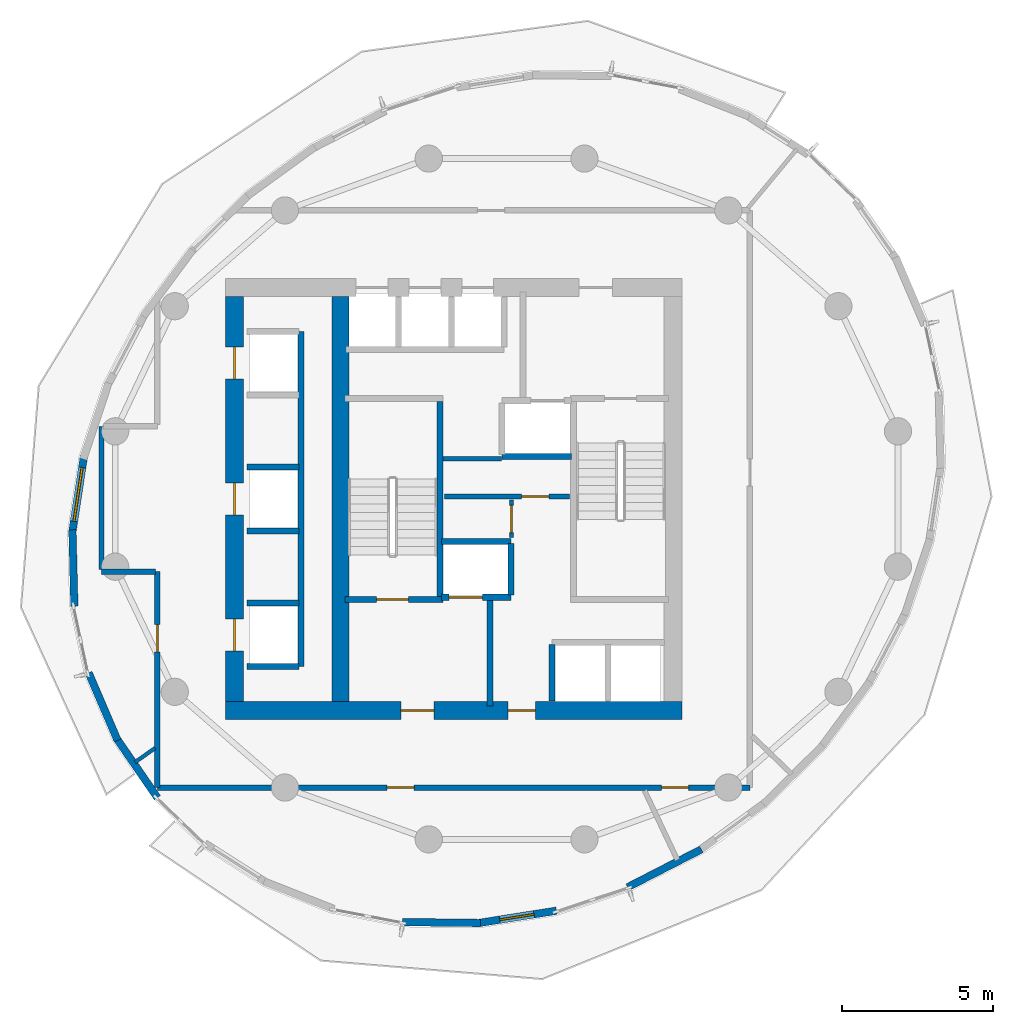
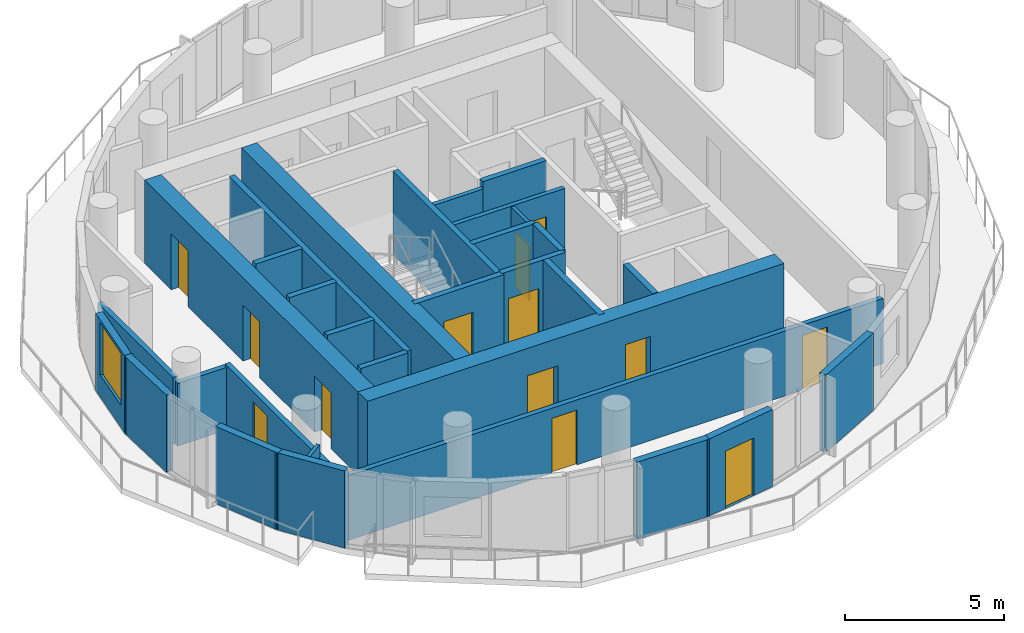
# One storey, part 3 of 9: 31 walls, 13 doors, 1 window, 14 openings.
"""IFC4 building model written with IfcOpenShell, lengths in metres."""

from ifc_helpers import new_model, si_unit, direction, frame, frame_2d, origin, place, context, subcontext, project, spatial, rectangle, extrude, material, layer, layer_set, type_object, element, fill, save


model = new_model("IFC4")

# Units and contexts
model_context = context("Model", 3, precision=1e-05, world=origin(), true_north=direction((0.0, 1.0)))
body_context = subcontext(model_context, "Body", "Model", "MODEL_VIEW")
ifc_project = project(units=[si_unit("LENGTHUNIT", "METRE"), si_unit("AREAUNIT", "SQUARE_METRE"), si_unit("VOLUMEUNIT", "CUBIC_METRE"), si_unit("PLANEANGLEUNIT", "RADIAN"), si_unit("MASSUNIT", "GRAM", prefix="KILO")], contexts=[model_context])

# Site, building, storey
site_placement = place(None, origin())
site = spatial("IfcSite", under=ifc_project, at=site_placement, CompositionType="ELEMENT")
building_placement = place(site_placement, origin())
building = spatial("IfcBuilding", under=site, at=building_placement, Name="Veldorim Arch Residences", CompositionType="ELEMENT")
storey_placement = place(building_placement, frame((0.0, 0.0, 163.0400390625)))
storey = spatial("IfcBuildingStorey", under=building, at=storey_placement, Name="L48", CompositionType="ELEMENT", Elevation=163.0400390625)

# Wall, opening, door
ifc_material_1 = material(Name="Acoustic Gypsum Board", Category="gypsum")
ifc_layer_1 = layer(ifc_material_1, 0.125, Name="Acoustic Stud Room Partition Wall 125")
ifc_layer_set_1 = layer_set([ifc_layer_1], Name="Acoustic Gypsum Board")
wall_type_1 = type_object("IfcWallType", Name="Acoustic Stud Room Partition Wall 125", PredefinedType="PARTITIONING", material=ifc_layer_set_1)
wall_1_placement = place(storey_placement, frame((32.159912109375, 22.719970703125, 0.0), z_axis=(0.0, 0.0, 1.0), x_axis=(0.0, 1.0, 0.0)))
wall_1 = element("IfcWall", 1, at=wall_1_placement, inside=storey, type_object=wall_type_1, Name="L48 interior wall WL-CA-L48-2", PredefinedType="PARTITIONING", context=body_context, shape_type="SweptSolid", body=[
    extrude(rectangle(XDim=1.25, YDim=0.125, at=frame_2d((0.625, 0.0))), origin(), (0.0, 0.0, 1.0), 2.955078125),
])
opening_1_placement = place(wall_1_placement, frame((0.169921875, 0.0, 0.0)))
opening_1 = element("IfcOpeningElement", 2, at=opening_1_placement, cuts=wall_1, Name="Opening DR-SVC", PredefinedType="OPENING", context=body_context, shape_type="SweptSolid", body=[
    extrude(rectangle(XDim=0.89990234375, YDim=2.10009765625, at=frame_2d((0.449951171875, 1.050048828125))), frame((0.0, 0.072509765625, 0.0), z_axis=(0.0, -1.0, 0.0), x_axis=(1.0, 0.0, 0.0)), (0.0, 0.0, 1.0), 0.14501953125),
])
ifc_material_2 = material(Name="Fire-Rated Steel", Category="steel")
door_type_1 = type_object("IfcDoorType", Name="Riser, Shelter & Plant Room Rated Steel Door 900x2100", OperationType="SINGLE_SWING_LEFT", PredefinedType="DOOR", material=ifc_material_2)
door_1_placement = place(opening_1_placement, origin())
door_1 = element("IfcDoor", 3, at=door_1_placement, inside=storey, type_object=door_type_1, Name="L48 interior door DR-L48-CA2", OperationType="SINGLE_SWING_RIGHT", OverallHeight=2.10009765625, OverallWidth=0.89990234375, PredefinedType="DOOR", context=body_context, shape_type="SweptSolid", body=[
    extrude(rectangle(XDim=0.89990234375, YDim=2.10009765625, at=frame_2d((0.449951171875, 1.050048828125))), frame((0.0, 0.02490234375, 0.0), z_axis=(0.0, -1.0, 0.0), x_axis=(1.0, 0.0, 0.0)), (0.0, 0.0, 1.0), 0.050048828125),
])
fill(opening_1, door_1)

# Wall
wall_2_placement = place(storey_placement, frame((20.368408203125, 15.75830078125, 0.0), z_axis=(0.0, 0.0, 1.0), x_axis=(-0.815971082195, -0.57809272009, 0.0)))
element("IfcWall", 4, at=wall_2_placement, inside=storey, type_object=wall_type_1, Name="L48 interior wall WL-SKY-L48-010", PredefinedType="PARTITIONING", context=body_context, shape_type="SweptSolid", body=[
    extrude(rectangle(XDim=0.808837890625, YDim=0.125, at=frame_2d((0.404296875, 0.0))), origin(), (0.0, 0.0, 1.0), 2.955078125),
])

# Wall, opening, door
ifc_material_3 = material(Name="Lightweight Masonry Block & Gypsum", Category="masonry")
ifc_layer_2 = layer(ifc_material_3, 0.179931640625, Name="Compartment & Corridor Fire-Rated Party Wall 180")
ifc_layer_set_2 = layer_set([ifc_layer_2], Name="Lightweight Masonry Block & Gypsum")
wall_type_2 = type_object("IfcWallType", Name="Compartment & Corridor Fire-Rated Party Wall 180", PredefinedType="PARTITIONING", material=ifc_layer_set_2)
wall_3_placement = place(storey_placement, frame((20.449951171875, 14.449951171875, 0.0), z_axis=(0.0, 0.0, 1.0), x_axis=(0.0, 1.0, 0.0)))
wall_3 = element("IfcWall", 5, at=wall_3_placement, inside=storey, type_object=wall_type_2, Name="L48 interior wall WL-SKY-L48-002", PredefinedType="PARTITIONING", context=body_context, shape_type="SweptSolid", body=[
    extrude(rectangle(XDim=7.150146484375, YDim=0.179931640625, at=frame_2d((3.5751953125, 0.0))), origin(), (0.0, 0.0, 1.0), 2.488037109375),
])
opening_2_placement = place(wall_3_placement, frame((4.495849609375, 0.0, 0.0)))
opening_2 = element("IfcOpeningElement", 6, at=opening_2_placement, cuts=wall_3, Name="Opening DR-INT", PredefinedType="OPENING", context=body_context, shape_type="SweptSolid", body=[
    extrude(rectangle(XDim=0.89990234375, YDim=2.10009765625, at=frame_2d((0.449951171875, 1.050048828125))), frame((0.0, 0.099853515625, 0.0), z_axis=(0.0, -1.0, 0.0), x_axis=(1.0, 0.0, 0.0)), (0.0, 0.0, 1.0), 0.199951171875),
])
ifc_material_4 = material(Name="Engineered Timber", Category="wood")
door_type_2 = type_object("IfcDoorType", Name="Apartment Internal Room Timber Door 900x2100", OperationType="SINGLE_SWING_LEFT", PredefinedType="DOOR", material=ifc_material_4)
door_2_placement = place(opening_2_placement, origin())
door_2 = element("IfcDoor", 7, at=door_2_placement, inside=storey, type_object=door_type_2, Name="L48 interior door DR-SKY-L48-002", OperationType="SINGLE_SWING_RIGHT", OverallHeight=2.10009765625, OverallWidth=0.89990234375, PredefinedType="DOOR", context=body_context, shape_type="SweptSolid", body=[
    extrude(rectangle(XDim=0.89990234375, YDim=2.10009765625, at=frame_2d((0.449951171875, 1.050048828125))), frame((0.0, 0.02490234375, 0.0), z_axis=(0.0, -1.0, 0.0), x_axis=(1.0, 0.0, 0.0)), (0.0, 0.0, 1.0), 0.050048828125),
])
fill(opening_2, door_2)

# Walls
wall_4_placement = place(storey_placement, frame((20.389892578125, 21.60009765625, 0.0), z_axis=(0.0, 0.0, 1.0), x_axis=(-1.0, 0.0, 0.0)))
element("IfcWall", 8, at=wall_4_placement, inside=storey, type_object=wall_type_2, Name="L48 interior wall WL-SKY-L48-003", PredefinedType="PARTITIONING", context=body_context, shape_type="SweptSolid", body=[
    extrude(rectangle(XDim=1.789794921875, YDim=0.179931640625, at=frame_2d((0.89501953125, 0.0))), origin(), (0.0, 0.0, 1.0), 2.4033203125),
])
wall_5_placement = place(storey_placement, frame((18.60009765625, 21.659912109375, 0.0), z_axis=(0.0, 0.0, 1.0), x_axis=(0.0, 1.0, 0.0)))
element("IfcWall", 9, at=wall_5_placement, inside=storey, type_object=wall_type_2, Name="L48 interior wall WL-SKY-L48-004", PredefinedType="PARTITIONING", context=body_context, shape_type="SweptSolid", body=[
    extrude(rectangle(XDim=4.739990234375, YDim=0.179931640625, at=frame_2d((2.3701171875, 0.0))), origin(), (0.0, 0.0, 1.0), 2.570068359375),
])

# Wall, openings, doors
wall_6_placement = place(storey_placement, frame((40.050048828125, 14.449951171875, 0.0), z_axis=(0.0, 0.0, 1.0), x_axis=(-1.0, 0.0, 0.0)))
wall_6 = element("IfcWall", 10, at=wall_6_placement, inside=storey, type_object=wall_type_2, Name="L48 interior wall WL-SKY-L48-007", PredefinedType="PARTITIONING", context=body_context, shape_type="SweptSolid", body=[
    extrude(rectangle(XDim=19.60009765625, YDim=0.179931640625, at=frame_2d((9.800048828125, 0.0))), origin(), (0.0, 0.0, 1.0), 2.488037109375),
])
opening_3_placement = place(wall_6_placement, frame((11.104736328125, 0.0, 0.0)))
opening_3 = element("IfcOpeningElement", 11, at=opening_3_placement, cuts=wall_6, Name="Opening DR-INT", PredefinedType="OPENING", context=body_context, shape_type="SweptSolid", body=[
    extrude(rectangle(XDim=0.89990234375, YDim=2.10009765625, at=frame_2d((0.449951171875, 1.050048828125))), frame((0.0, 0.099853515625, 0.0), z_axis=(0.0, -1.0, 0.0), x_axis=(1.0, 0.0, 0.0)), (0.0, 0.0, 1.0), 0.199951171875),
])
opening_4_placement = place(wall_6_placement, frame((2.02587890625, 0.0, 0.0)))
opening_4 = element("IfcOpeningElement", 12, at=opening_4_placement, cuts=wall_6, Name="Opening DR-WC", PredefinedType="OPENING", context=body_context, shape_type="SweptSolid", body=[
    extrude(rectangle(XDim=0.89990234375, YDim=2.10009765625, at=frame_2d((0.449951171875, 1.050048828125))), frame((0.0, 0.099853515625, 0.0), z_axis=(0.0, -1.0, 0.0), x_axis=(1.0, 0.0, 0.0)), (0.0, 0.0, 1.0), 0.199951171875),
])
door_3_placement = place(opening_3_placement, origin())
door_3 = element("IfcDoor", 13, at=door_3_placement, inside=storey, type_object=door_type_2, Name="L48 interior door DR-SKY-L48-003", OperationType="SINGLE_SWING_LEFT", OverallHeight=2.10009765625, OverallWidth=0.89990234375, PredefinedType="DOOR", context=body_context, shape_type="SweptSolid", body=[
    extrude(rectangle(XDim=0.89990234375, YDim=2.10009765625, at=frame_2d((0.449951171875, 1.050048828125))), frame((0.0, 0.02490234375, 0.0), z_axis=(0.0, -1.0, 0.0), x_axis=(1.0, 0.0, 0.0)), (0.0, 0.0, 1.0), 0.050048828125),
])
fill(opening_3, door_3)
ifc_material_5 = material(Name="Laminate Timber", Category="wood")
door_type_3 = type_object("IfcDoorType", Name="Bathroom & Accessible WC Moisture-Sealed Door 900x2100", OperationType="SINGLE_SWING_LEFT", PredefinedType="DOOR", material=ifc_material_5)
door_4_placement = place(opening_4_placement, origin())
door_4 = element("IfcDoor", 14, at=door_4_placement, inside=storey, type_object=door_type_3, Name="L48 interior door DR-SKY-L48-005", OperationType="SINGLE_SWING_LEFT", OverallHeight=2.10009765625, OverallWidth=0.89990234375, PredefinedType="DOOR", context=body_context, shape_type="SweptSolid", body=[
    extrude(rectangle(XDim=0.89990234375, YDim=2.10009765625, at=frame_2d((0.449951171875, 1.050048828125))), frame((0.0, 0.02490234375, 0.0), z_axis=(0.0, -1.0, 0.0), x_axis=(1.0, 0.0, 0.0)), (0.0, 0.0, 1.0), 0.050048828125),
])
fill(opening_4, door_4)

# Wall
ifc_material_6 = material(Name="Concrete C50/60", Category="concrete")
ifc_layer_3 = layer(ifc_material_6, 0.199951171875, Name="Core Stair & Lift Shaft Enclosure Wall 200")
ifc_layer_set_3 = layer_set([ifc_layer_3], Name="Concrete C50/60")
wall_type_3 = type_object("IfcWallType", Name="Core Stair & Lift Shaft Enclosure Wall 200", PredefinedType="SHEAR", material=ifc_layer_set_3)
wall_7_placement = place(storey_placement, frame((29.7900390625, 20.780029296875, 0.0), z_axis=(0.0, 0.0, 1.0), x_axis=(0.0, 1.0, 0.0)))
element("IfcWall", 15, at=wall_7_placement, inside=storey, type_object=wall_type_3, Name="L48 shaft wall WL-SHF-L48-ST1-E", PredefinedType="SHEAR", context=body_context, shape_type="SweptSolid", body=[
    extrude(rectangle(XDim=6.43994140625, YDim=0.199951171875, at=frame_2d((3.219970703125, 0.0))), origin(), (0.0, 0.0, 1.0), 3.199951171875),
])

# Wall, opening, door
wall_8_placement = place(storey_placement, frame((26.64990234375, 20.669921875, 0.0), z_axis=(0.0, 0.0, 1.0), x_axis=(1.0, 0.0, 0.0)))
wall_8 = element("IfcWall", 16, at=wall_8_placement, inside=storey, type_object=wall_type_3, Name="L48 shaft wall WL-SHF-L48-ST1-S", PredefinedType="SHEAR", context=body_context, shape_type="SweptSolid", body=[
    extrude(rectangle(XDim=3.239990234375, YDim=0.199951171875, at=frame_2d((1.6201171875, 0.0))), origin(), (0.0, 0.0, 1.0), 3.199951171875),
])
opening_5_placement = place(wall_8_placement, frame((1.054931640625, 0.0, 0.0)))
opening_5 = element("IfcOpeningElement", 17, at=opening_5_placement, cuts=wall_8, Name="Opening DR-ST", PredefinedType="OPENING", context=body_context, shape_type="SweptSolid", body=[
    extrude(rectangle(XDim=1.050048828125, YDim=2.14990234375, at=frame_2d((0.52490234375, 1.074951171875))), frame((0.0, 0.10986328125, 0.0), z_axis=(0.0, -1.0, 0.0), x_axis=(1.0, 0.0, 0.0)), (0.0, 0.0, 1.0), 0.219970703125),
])
ifc_material_7 = material(Name="Fire-Rated Steel", Category="steel")
door_type_4 = type_object("IfcDoorType", Name="Exit Staircase Self-Closing Fire Door 1050x2150", OperationType="SINGLE_SWING_LEFT", PredefinedType="DOOR", material=ifc_material_7)
door_5_placement = place(opening_5_placement, origin())
door_5 = element("IfcDoor", 18, at=door_5_placement, inside=storey, type_object=door_type_4, Name="L48 interior door DR-L48-ST1", OperationType="SINGLE_SWING_LEFT", OverallHeight=2.14990234375, OverallWidth=1.050048828125, PredefinedType="DOOR", context=body_context, shape_type="SweptSolid", body=[
    extrude(rectangle(XDim=1.050048828125, YDim=2.14990234375, at=frame_2d((0.52490234375, 1.074951171875))), frame((0.0, 0.02490234375, 0.0), z_axis=(0.0, -1.0, 0.0), x_axis=(1.0, 0.0, 0.0)), (0.0, 0.0, 1.0), 0.050048828125),
])
fill(opening_5, door_5)

# Wall
wall_9_placement = place(storey_placement, frame((31.449951171875, 17.14990234375, 0.0), z_axis=(0.0, 0.0, 1.0), x_axis=(0.0, 1.0, 0.0)))
element("IfcWall", 19, at=wall_9_placement, inside=storey, type_object=wall_type_3, Name="L48 shaft wall WL-FFL1-L48-E", PredefinedType="SHEAR", context=body_context, shape_type="SweptSolid", body=[
    extrude(rectangle(XDim=3.5, YDim=0.199951171875, at=frame_2d((1.75, 0.0))), origin(), (0.0, 0.0, 1.0), 3.199951171875),
])

# Wall, opening, door
wall_10_placement = place(storey_placement, frame((29.85009765625, 20.75, 0.0), z_axis=(0.0, 0.0, 1.0), x_axis=(1.0, 0.0, 0.0)))
wall_10 = element("IfcWall", 20, at=wall_10_placement, inside=storey, type_object=wall_type_3, Name="L48 shaft wall WL-FL01-L48-S", PredefinedType="SHEAR", context=body_context, shape_type="SweptSolid", body=[
    extrude(rectangle(XDim=2.2998046875, YDim=0.199951171875, at=frame_2d((1.14990234375, 0.0))), origin(), (0.0, 0.0, 1.0), 3.199951171875),
])
opening_6_placement = place(wall_10_placement, frame((0.25, 0.0, 0.0)))
opening_6 = element("IfcOpeningElement", 21, at=opening_6_placement, cuts=wall_10, Name="Opening LD-FF", PredefinedType="OPENING", context=body_context, shape_type="SweptSolid", body=[
    extrude(rectangle(XDim=1.10009765625, YDim=2.14990234375, at=frame_2d((0.550048828125, 1.074951171875))), frame((0.0, 0.10986328125, 0.0), z_axis=(0.0, -1.0, 0.0), x_axis=(1.0, 0.0, 0.0)), (0.0, 0.0, 1.0), 0.219970703125),
])
ifc_material_8 = material(Name="Stainless Steel", Category="steel")
door_type_5 = type_object("IfcDoorType", Name="Firefighting Lift Bi-Parting Sliding Landing Door 1100x2150", OperationType="DOUBLE_DOOR_SLIDING", PredefinedType="DOOR", material=ifc_material_8)
door_6_placement = place(opening_6_placement, origin())
door_6 = element("IfcDoor", 22, at=door_6_placement, inside=storey, type_object=door_type_5, Name="L48 lift landing door LD-L48-FL01", OperationType="DOUBLE_DOOR_SLIDING", OverallHeight=2.14990234375, OverallWidth=1.10009765625, PredefinedType="DOOR", context=body_context, shape_type="SweptSolid", body=[
    extrude(rectangle(XDim=1.10009765625, YDim=2.14990234375, at=frame_2d((0.550048828125, 1.074951171875))), frame((0.0, 0.02490234375, 0.0), z_axis=(0.0, -1.0, 0.0), x_axis=(1.0, 0.0, 0.0)), (0.0, 0.0, 1.0), 0.050048828125),
])
fill(opening_6, door_6)

# Walls
wall_11_placement = place(storey_placement, frame((29.85009765625, 22.60009765625, 0.0), z_axis=(0.0, 0.0, 1.0), x_axis=(1.0, 0.0, 0.0)))
element("IfcWall", 23, at=wall_11_placement, inside=storey, type_object=wall_type_3, Name="L48 shaft wall WL-FL01-L48-N", PredefinedType="SHEAR", context=body_context, shape_type="SweptSolid", body=[
    extrude(rectangle(XDim=2.2998046875, YDim=0.199951171875, at=frame_2d((1.14990234375, 0.0))), origin(), (0.0, 0.0, 1.0), 3.199951171875),
])
wall_12_placement = place(storey_placement, frame((32.14990234375, 20.820068359375, 0.0), z_axis=(0.0, 0.0, 1.0), x_axis=(0.0, 1.0, 0.0)))
element("IfcWall", 24, at=wall_12_placement, inside=storey, type_object=wall_type_3, Name="L48 shaft wall WL-FL01-L48-E", PredefinedType="SHEAR", context=body_context, shape_type="SweptSolid", body=[
    extrude(rectangle(XDim=1.7099609375, YDim=0.199951171875, at=frame_2d((0.85498046875, 0.0))), origin(), (0.0, 0.0, 1.0), 3.199951171875),
])
wall_13_placement = place(storey_placement, frame((31.85009765625, 25.39990234375, 0.0), z_axis=(0.0, 0.0, 1.0), x_axis=(1.0, 0.0, 0.0)))
element("IfcWall", 25, at=wall_13_placement, inside=storey, type_object=wall_type_3, Name="L48 shaft wall WL-FL02-L48-S", PredefinedType="SHEAR", context=body_context, shape_type="SweptSolid", body=[
    extrude(rectangle(XDim=2.2998046875, YDim=0.199951171875, at=frame_2d((1.14990234375, 0.0))), origin(), (0.0, 0.0, 1.0), 3.199951171875),
])
wall_14_placement = place(storey_placement, frame((25.199951171875, 18.4599609375, 0.0), z_axis=(0.0, 0.0, 1.0), x_axis=(0.0, 1.0, 0.0)))
element("IfcWall", 26, at=wall_14_placement, inside=storey, type_object=wall_type_3, Name="L48 shaft wall WL-B2-L48-E", PredefinedType="SHEAR", context=body_context, shape_type="SweptSolid", body=[
    extrude(rectangle(XDim=11.080078125, YDim=0.199951171875, at=frame_2d((5.5400390625, 0.0))), origin(), (0.0, 0.0, 1.0), 3.199951171875),
])
for number, where, z_axis, x_axis, name in (
    (27, (23.419921875, 18.4599609375, 0.0), (0.0, 0.0, 1.0), (1.0, 0.0, 0.0), "L48 shaft wall WL-B2-L48-S"),
    (28, (23.419921875, 20.56005859375, 0.0), (0.0, 0.0, 1.0), (1.0, 0.0, 0.0), "L48 shaft wall WL-B2-L48-D1A"),
    (29, (23.419921875, 22.93994140625, 0.0), (0.0, 0.0, 1.0), (1.0, 0.0, 0.0), "L48 shaft wall WL-B2-L48-D1B"),
    (30, (23.419921875, 25.06005859375, 0.0), (0.0, 0.0, 1.0), (1.0, 0.0, 0.0), "L48 shaft wall WL-B2-L48-D2A"),
):
    element("IfcWall", number, at=place(storey_placement, frame(where, z_axis=z_axis, x_axis=x_axis)), inside=storey, type_object=wall_type_3, Name=name, PredefinedType="SHEAR", context=body_context, shape_type="SweptSolid", body=[
        extrude(rectangle(XDim=1.7099609375, YDim=0.199951171875, at=frame_2d((0.85498046875, 0.0))), origin(), (0.0, 0.0, 1.0), 3.199951171875),
    ])
wall_15_placement = place(storey_placement, frame((33.5, 17.320068359375, 0.0), z_axis=(0.0, 0.0, 1.0), x_axis=(0.0, 1.0, 0.0)))
element("IfcWall", 31, at=wall_15_placement, inside=storey, type_object=wall_type_3, Name="L48 shaft wall WL-OL-L48-W", PredefinedType="SHEAR", context=body_context, shape_type="SweptSolid", body=[
    extrude(rectangle(XDim=1.85986328125, YDim=0.199951171875, at=frame_2d((0.929931640625, 0.0))), origin(), (0.0, 0.0, 1.0), 3.199951171875),
])

# Wall, openings, doors
ifc_material_9 = material(Name="Concrete C50/60", Category="concrete")
ifc_layer_4 = layer(ifc_material_9, 0.60009765625, Name="Mid-Upper Central Core Shear Wall 600")
ifc_layer_set_4 = layer_set([ifc_layer_4], Name="Concrete C50/60")
wall_type_4 = type_object("IfcWallType", Name="Mid-Upper Central Core Shear Wall 600", PredefinedType="SHEAR", material=ifc_layer_set_4)
wall_16_placement = place(storey_placement, frame((22.699951171875, 17.0, 0.0), z_axis=(0.0, 0.0, 1.0), x_axis=(1.0, 0.0, 0.0)))
wall_16 = element("IfcWall", 32, at=wall_16_placement, inside=storey, type_object=wall_type_4, Name="L48 central core south shear wall", PredefinedType="SHEAR", context=body_context, shape_type="SweptSolid", body=[
    extrude(rectangle(XDim=15.10009765625, YDim=0.60009765625, at=frame_2d((7.550048828125, 0.0))), origin(), (0.0, 0.0, 1.0), 3.199951171875),
])
opening_7_placement = place(wall_16_placement, frame((5.800048828125, 0.0, 0.0)))
opening_7 = element("IfcOpeningElement", 33, at=opening_7_placement, cuts=wall_16, Name="Opening DR-FFL", PredefinedType="OPENING", context=body_context, shape_type="SweptSolid", body=[
    extrude(rectangle(XDim=1.10009765625, YDim=2.14990234375, at=frame_2d((0.550048828125, 1.074951171875))), frame((0.0, 0.31005859375, 0.0), z_axis=(0.0, -1.0, 0.0), x_axis=(1.0, 0.0, 0.0)), (0.0, 0.0, 1.0), 0.6201171875),
])
opening_8_placement = place(wall_16_placement, frame((9.35009765625, 0.0, 0.0)))
opening_8 = element("IfcOpeningElement", 34, at=opening_8_placement, cuts=wall_16, Name="Opening DR-SVC", PredefinedType="OPENING", context=body_context, shape_type="SweptSolid", body=[
    extrude(rectangle(XDim=0.89990234375, YDim=2.10009765625, at=frame_2d((0.449951171875, 1.050048828125))), frame((0.0, 0.31005859375, 0.0), z_axis=(0.0, -1.0, 0.0), x_axis=(1.0, 0.0, 0.0)), (0.0, 0.0, 1.0), 0.6201171875),
])
ifc_material_10 = material(Name="Fire-Rated Steel & Vision Glass", Category="steel")
door_type_6 = type_object("IfcDoorType", Name="Firefighting Lobby Smoke-Stop Fire Door 1100x2150", OperationType="SINGLE_SWING_LEFT", PredefinedType="DOOR", material=ifc_material_10)
door_7_placement = place(opening_7_placement, origin())
door_7 = element("IfcDoor", 35, at=door_7_placement, inside=storey, type_object=door_type_6, Name="L48 interior door DR-L48-FFL1", OperationType="SINGLE_SWING_RIGHT", OverallHeight=2.14990234375, OverallWidth=1.10009765625, PredefinedType="DOOR", context=body_context, shape_type="SweptSolid", body=[
    extrude(rectangle(XDim=1.10009765625, YDim=2.14990234375, at=frame_2d((0.550048828125, 1.074951171875))), frame((0.0, 0.02490234375, 0.0), z_axis=(0.0, -1.0, 0.0), x_axis=(1.0, 0.0, 0.0)), (0.0, 0.0, 1.0), 0.050048828125),
])
fill(opening_7, door_7)
door_8_placement = place(opening_8_placement, origin())
door_8 = element("IfcDoor", 36, at=door_8_placement, inside=storey, type_object=door_type_1, Name="L48 interior door DR-L48-COR-ANC", OperationType="SINGLE_SWING_LEFT", OverallHeight=2.10009765625, OverallWidth=0.89990234375, PredefinedType="DOOR", context=body_context, shape_type="SweptSolid", body=[
    extrude(rectangle(XDim=0.89990234375, YDim=2.10009765625, at=frame_2d((0.449951171875, 1.050048828125))), frame((0.0, 0.02490234375, 0.0), z_axis=(0.0, -1.0, 0.0), x_axis=(1.0, 0.0, 0.0)), (0.0, 0.0, 1.0), 0.050048828125),
])
fill(opening_8, door_8)

wall_17_placement = place(storey_placement, frame((23.0, 17.300048828125, 0.0), z_axis=(0.0, 0.0, 1.0), x_axis=(0.0, 1.0, 0.0)))
wall_17 = element("IfcWall", 37, at=wall_17_placement, inside=storey, type_object=wall_type_4, Name="L48 central core west shear wall", PredefinedType="SHEAR", context=body_context, shape_type="SweptSolid", body=[
    extrude(rectangle(XDim=13.39990234375, YDim=0.60009765625, at=frame_2d((6.699951171875, 0.0))), origin(), (0.0, 0.0, 1.0), 3.199951171875),
])
opening_9_placement = place(wall_17_placement, frame((1.675048828125, 0.0, 0.0)))
opening_9 = element("IfcOpeningElement", 38, at=opening_9_placement, cuts=wall_17, Name="Opening LD-PS", PredefinedType="OPENING", context=body_context, shape_type="SweptSolid", body=[
    extrude(rectangle(XDim=1.050048828125, YDim=2.14990234375, at=frame_2d((0.52490234375, 1.074951171875))), frame((0.0, 0.31005859375, 0.0), z_axis=(0.0, -1.0, 0.0), x_axis=(1.0, 0.0, 0.0)), (0.0, 0.0, 1.0), 0.6201171875),
])
opening_10_placement = place(wall_17_placement, frame((6.175048828125, 0.0, 0.0)))
opening_10 = element("IfcOpeningElement", 39, at=opening_10_placement, cuts=wall_17, Name="Opening LD-PS", PredefinedType="OPENING", context=body_context, shape_type="SweptSolid", body=[
    extrude(rectangle(XDim=1.050048828125, YDim=2.14990234375, at=frame_2d((0.52490234375, 1.074951171875))), frame((0.0, 0.31005859375, 0.0), z_axis=(0.0, -1.0, 0.0), x_axis=(1.0, 0.0, 0.0)), (0.0, 0.0, 1.0), 0.6201171875),
])
opening_11_placement = place(wall_17_placement, frame((10.675048828125, 0.0, 0.0)))
opening_11 = element("IfcOpeningElement", 40, at=opening_11_placement, cuts=wall_17, Name="Opening LD-PS", PredefinedType="OPENING", context=body_context, shape_type="SweptSolid", body=[
    extrude(rectangle(XDim=1.050048828125, YDim=2.14990234375, at=frame_2d((0.52490234375, 1.074951171875))), frame((0.0, 0.31005859375, 0.0), z_axis=(0.0, -1.0, 0.0), x_axis=(1.0, 0.0, 0.0)), (0.0, 0.0, 1.0), 0.6201171875),
])
ifc_material_11 = material(Name="Stainless Steel", Category="steel")
door_type_7 = type_object("IfcDoorType", Name="Passenger Lift Bi-Parting Sliding Landing Door 1050x2150", OperationType="DOUBLE_DOOR_SLIDING", PredefinedType="DOOR", material=ifc_material_11)
door_9_placement = place(opening_9_placement, origin())
door_9 = element("IfcDoor", 41, at=door_9_placement, inside=storey, type_object=door_type_7, Name="L48 lift landing door LD-L48-PL-05", OperationType="DOUBLE_DOOR_SLIDING", OverallHeight=2.14990234375, OverallWidth=1.050048828125, PredefinedType="DOOR", context=body_context, shape_type="SweptSolid", body=[
    extrude(rectangle(XDim=1.050048828125, YDim=2.14990234375, at=frame_2d((0.52490234375, 1.074951171875))), frame((0.0, 0.02490234375, 0.0), z_axis=(0.0, -1.0, 0.0), x_axis=(1.0, 0.0, 0.0)), (0.0, 0.0, 1.0), 0.050048828125),
])
fill(opening_9, door_9)
door_10_placement = place(opening_10_placement, origin())
door_10 = element("IfcDoor", 42, at=door_10_placement, inside=storey, type_object=door_type_7, Name="L48 lift landing door LD-L48-PL-06", OperationType="DOUBLE_DOOR_SLIDING", OverallHeight=2.14990234375, OverallWidth=1.050048828125, PredefinedType="DOOR", context=body_context, shape_type="SweptSolid", body=[
    extrude(rectangle(XDim=1.050048828125, YDim=2.14990234375, at=frame_2d((0.52490234375, 1.074951171875))), frame((0.0, 0.02490234375, 0.0), z_axis=(0.0, -1.0, 0.0), x_axis=(1.0, 0.0, 0.0)), (0.0, 0.0, 1.0), 0.050048828125),
])
fill(opening_10, door_10)
door_11_placement = place(opening_11_placement, origin())
door_11 = element("IfcDoor", 43, at=door_11_placement, inside=storey, type_object=door_type_7, Name="L48 lift landing door LD-L48-PL-07", OperationType="DOUBLE_DOOR_SLIDING", OverallHeight=2.14990234375, OverallWidth=1.050048828125, PredefinedType="DOOR", context=body_context, shape_type="SweptSolid", body=[
    extrude(rectangle(XDim=1.050048828125, YDim=2.14990234375, at=frame_2d((0.52490234375, 1.074951171875))), frame((0.0, 0.02490234375, 0.0), z_axis=(0.0, -1.0, 0.0), x_axis=(1.0, 0.0, 0.0)), (0.0, 0.0, 1.0), 0.050048828125),
])
fill(opening_11, door_11)

# Wall, opening, window
ifc_material_12 = material(Name="Precast concrete C40/50", Category="concrete")
ifc_layer_5 = layer(ifc_material_12, 0.25, Name="Tower Terracotta Spandrel & Pier Wall 250")
ifc_layer_set_5 = layer_set([ifc_layer_5], Name="Precast concrete C40/50")
wall_type_5 = type_object("IfcWallType", Name="Tower Terracotta Spandrel & Pier Wall 250", PredefinedType="SOLIDWALL", material=ifc_layer_set_5)
wall_18_placement = place(storey_placement, frame((17.62890625, 22.87109375, 0.0), z_axis=(0.0, 0.0, 1.0), x_axis=(0.150882230886, 0.988551744929, 0.0)))
wall_18 = element("IfcWall", 44, at=wall_18_placement, inside=storey, type_object=wall_type_5, Name="L48 terracotta facade wall 14", PredefinedType="SOLIDWALL", context=body_context, shape_type="SweptSolid", body=[
    extrude(rectangle(XDim=2.59228515625, YDim=0.25, at=frame_2d((1.296142578125, 0.0))), origin(), (0.0, 0.0, 1.0), 2.9599609375),
])
opening_12_placement = place(wall_18_placement, frame((0.39599609375, 0.0, 0.85009765625)))
opening_12 = element("IfcOpeningElement", 45, at=opening_12_placement, cuts=wall_18, Name="Opening WN-04", PredefinedType="OPENING", context=body_context, shape_type="SweptSolid", body=[
    extrude(rectangle(XDim=1.800048828125, YDim=2.0, at=frame_2d((0.89990234375, 1.0))), frame((0.0, 0.135009765625, 0.0), z_axis=(0.0, -1.0, 0.0), x_axis=(1.0, 0.0, 0.0)), (0.0, 0.0, 1.0), 0.27001953125),
])
ifc_material_13 = material(Name="Laminated Low-E Glass", Category="glass")
window_type = type_object("IfcWindowType", Name="Sky Lounge Tall Picture Window 1800x1370", PartitioningType="SINGLE_PANEL", PredefinedType="WINDOW", material=ifc_material_13)
window_placement = place(opening_12_placement, origin())
window = element("IfcWindow", 46, at=window_placement, inside=storey, type_object=window_type, Name="L48 solar-control facade window 14", OverallHeight=2.0, OverallWidth=1.800048828125, PartitioningType="SINGLE_PANEL", PredefinedType="WINDOW", context=body_context, shape_type="SweptSolid", body=[
    extrude(rectangle(XDim=1.800048828125, YDim=2.0, at=frame_2d((0.89990234375, 1.0))), frame((0.0, 0.030029296875, 0.0), z_axis=(0.0, -1.0, 0.0), x_axis=(1.0, 0.0, 0.0)), (0.0, 0.0, 1.0), 0.06005859375),
])
fill(opening_12, window)

# Walls
wall_19_placement = place(storey_placement, frame((17.700927734375, 20.451171875, 0.0), z_axis=(0.0, 0.0, 1.0), x_axis=(-0.025647424719, 0.999671050699, 0.0)))
element("IfcWall", 47, at=wall_19_placement, inside=storey, type_object=wall_type_5, Name="L48 terracotta facade wall 15", PredefinedType="SOLIDWALL", context=body_context, shape_type="SweptSolid", body=[
    extrude(rectangle(XDim=2.531982421875, YDim=0.25, at=frame_2d((1.26611328125, 0.0))), origin(), (0.0, 0.0, 1.0), 2.9599609375),
])
wall_20_placement = place(storey_placement, frame((19.1328125, 16.009033203125, 0.0), z_axis=(0.0, 0.0, 1.0), x_axis=(-0.393822567199, 0.919186480299, 0.0)))
element("IfcWall", 48, at=wall_20_placement, inside=storey, type_object=wall_type_5, Name="L48 terracotta facade wall 17", PredefinedType="SOLIDWALL", context=body_context, shape_type="SweptSolid", body=[
    extrude(rectangle(XDim=2.43701171875, YDim=0.25, at=frame_2d((1.218505859375, 0.0))), origin(), (0.0, 0.0, 1.0), 2.9599609375),
])
wall_21_placement = place(storey_placement, frame((20.447998046875, 14.12109375, 0.0), z_axis=(0.0, 0.0, 1.0), x_axis=(-0.567536828079, 0.823348011945, 0.0)))
element("IfcWall", 49, at=wall_21_placement, inside=storey, type_object=wall_type_5, Name="L48 terracotta facade wall 18", PredefinedType="SOLIDWALL", context=body_context, shape_type="SweptSolid", body=[
    extrude(rectangle(XDim=2.41455078125, YDim=0.25, at=frame_2d((1.207275390625, 0.0))), origin(), (0.0, 0.0, 1.0), 2.9599609375),
])
wall_22_placement = place(storey_placement, frame((31.140625, 9.972900390625, 0.0), z_axis=(0.0, 0.0, 1.0), x_axis=(-0.999928463579, 0.011961092105, 0.0)))
element("IfcWall", 50, at=wall_22_placement, inside=storey, type_object=wall_type_5, Name="L48 terracotta facade wall 23", PredefinedType="SOLIDWALL", context=body_context, shape_type="SweptSolid", body=[
    extrude(rectangle(XDim=2.59228515625, YDim=0.25, at=frame_2d((1.296142578125, 0.0))), origin(), (0.0, 0.0, 1.0), 2.9599609375),
])

# Wall, opening, door
wall_23_placement = place(storey_placement, frame((33.648681640625, 10.37890625, 0.0), z_axis=(0.0, 0.0, 1.0), x_axis=(-0.987726348775, -0.156194301867, 0.0)))
wall_23 = element("IfcWall", 51, at=wall_23_placement, inside=storey, type_object=wall_type_5, Name="L48 terracotta facade wall 24", PredefinedType="SOLIDWALL", context=body_context, shape_type="SweptSolid", body=[
    extrude(rectangle(XDim=2.65087890625, YDim=0.25, at=frame_2d((1.325439453125, 0.0))), origin(), (0.0, 0.0, 1.0), 2.9599609375),
])
opening_13_placement = place(wall_23_placement, frame((0.7509765625, 0.0, 0.0)))
opening_13 = element("IfcOpeningElement", 52, at=opening_13_placement, cuts=wall_23, Name="Opening BL-DR", PredefinedType="OPENING", context=body_context, shape_type="SweptSolid", body=[
    extrude(rectangle(XDim=1.14990234375, YDim=2.199951171875, at=frame_2d((0.574951171875, 1.10009765625))), frame((0.0, 0.135009765625, 0.0), z_axis=(0.0, -1.0, 0.0), x_axis=(1.0, 0.0, 0.0)), (0.0, 0.0, 1.0), 0.27001953125),
])
ifc_material_14 = material(Name="Aluminium & Low-E Glass", Category="aluminium")
door_type_8 = type_object("IfcDoorType", Name="Glazed Planted Balcony Door 1150x2200", OperationType="SINGLE_SWING_LEFT", PredefinedType="DOOR", material=ifc_material_14)
door_12_placement = place(opening_13_placement, origin())
door_12 = element("IfcDoor", 53, at=door_12_placement, inside=storey, type_object=door_type_8, Name="L48 glazed outdoor terrace door BALC-2", OperationType="SINGLE_SWING_RIGHT", OverallHeight=2.199951171875, OverallWidth=1.14990234375, PredefinedType="DOOR", context=body_context, shape_type="SweptSolid", body=[
    extrude(rectangle(XDim=1.14990234375, YDim=2.199951171875, at=frame_2d((0.574951171875, 1.10009765625))), frame((0.0, 0.02490234375, 0.0), z_axis=(0.0, -1.0, 0.0), x_axis=(1.0, 0.0, 0.0)), (0.0, 0.0, 1.0), 0.050048828125),
])
fill(opening_13, door_12)

# Walls
wall_24_placement = place(storey_placement, frame((38.4423828125, 12.408935546875, 0.0), z_axis=(0.0, 0.0, 1.0), x_axis=(-0.889378950916, -0.457170735796, 0.0)))
element("IfcWall", 54, at=wall_24_placement, inside=storey, type_object=wall_type_5, Name="L48 terracotta facade wall 26", PredefinedType="SOLIDWALL", context=body_context, shape_type="SweptSolid", body=[
    extrude(rectangle(XDim=2.738525390625, YDim=0.25, at=frame_2d((1.369140625, 0.0))), origin(), (0.0, 0.0, 1.0), 2.9599609375),
])
ifc_material_15 = material(Name="Concrete C50/60", Category="concrete")
ifc_layer_6 = layer(ifc_material_15, 0.56005859375, Name="Upper Internal Core Shear Web Wall 560")
ifc_layer_set_6 = layer_set([ifc_layer_6], Name="Concrete C50/60")
wall_type_6 = type_object("IfcWallType", Name="Upper Internal Core Shear Web Wall 560", PredefinedType="SHEAR", material=ifc_layer_set_6)
wall_25_placement = place(storey_placement, frame((26.5, 17.300048828125, 0.0), z_axis=(0.0, 0.0, 1.0), x_axis=(0.0, 1.0, 0.0)))
element("IfcWall", 55, at=wall_25_placement, inside=storey, type_object=wall_type_6, Name="L48 core west internal shear web", PredefinedType="SHEAR", context=body_context, shape_type="SweptSolid", body=[
    extrude(rectangle(XDim=13.39990234375, YDim=0.56005859375, at=frame_2d((6.699951171875, 0.0))), origin(), (0.0, 0.0, 1.0), 3.199951171875),
])

# Wall, opening, door
ifc_material_16 = material(Name="Moisture-Resistant Gypsum & Stud", Category="gypsum")
ifc_layer_7 = layer(ifc_material_16, 0.159912109375, Name="Wet-Area Moisture-Resistant Plumbing Wall 160")
ifc_layer_set_7 = layer_set([ifc_layer_7], Name="Moisture-Resistant Gypsum & Stud")
wall_type_7 = type_object("IfcWallType", Name="Wet-Area Moisture-Resistant Plumbing Wall 160", PredefinedType="PLUMBINGWALL", material=ifc_layer_set_7)
wall_26_placement = place(storey_placement, frame((29.949951171875, 24.080078125, 0.0), z_axis=(0.0, 0.0, 1.0), x_axis=(1.0, 0.0, 0.0)))
wall_26 = element("IfcWall", 56, at=wall_26_placement, inside=storey, type_object=wall_type_7, Name="L48 interior wall WL-CA-L48-1", PredefinedType="PLUMBINGWALL", context=body_context, shape_type="SweptSolid", body=[
    extrude(rectangle(XDim=4.130126953125, YDim=0.159912109375, at=frame_2d((2.06494140625, 0.0))), origin(), (0.0, 0.0, 1.0), 2.955078125),
])
opening_14_placement = place(wall_26_placement, frame((2.550048828125, 0.0, 0.0)))
opening_14 = element("IfcOpeningElement", 57, at=opening_14_placement, cuts=wall_26, Name="Opening DR-WC", PredefinedType="OPENING", context=body_context, shape_type="SweptSolid", body=[
    extrude(rectangle(XDim=0.89990234375, YDim=2.10009765625, at=frame_2d((0.449951171875, 1.050048828125))), frame((0.0, 0.08984375, 0.0), z_axis=(0.0, -1.0, 0.0), x_axis=(1.0, 0.0, 0.0)), (0.0, 0.0, 1.0), 0.179931640625),
])
door_13_placement = place(opening_14_placement, origin())
door_13 = element("IfcDoor", 58, at=door_13_placement, inside=storey, type_object=door_type_3, Name="L48 interior door DR-L48-CA1", OperationType="SINGLE_SWING_LEFT", OverallHeight=2.10009765625, OverallWidth=0.89990234375, PredefinedType="DOOR", context=body_context, shape_type="SweptSolid", body=[
    extrude(rectangle(XDim=0.89990234375, YDim=2.10009765625, at=frame_2d((0.449951171875, 1.050048828125))), frame((0.0, 0.02490234375, 0.0), z_axis=(0.0, -1.0, 0.0), x_axis=(1.0, 0.0, 0.0)), (0.0, 0.0, 1.0), 0.050048828125),
])
fill(opening_14, door_13)

# Wall
wall_27_placement = place(storey_placement, frame((29.889892578125, 25.330078125, 0.0), z_axis=(0.0, 0.0, 1.0), x_axis=(1.0, 0.0, 0.0)))
element("IfcWall", 59, at=wall_27_placement, inside=storey, type_object=wall_type_7, Name="L48 interior wall WL-CA-L48-N", PredefinedType="PLUMBINGWALL", context=body_context, shape_type="SweptSolid", body=[
    extrude(rectangle(XDim=1.940185546875, YDim=0.159912109375, at=frame_2d((0.97021484375, 0.0))), origin(), (0.0, 0.0, 1.0), 2.955078125),
])

save(model, "model.ifc")
